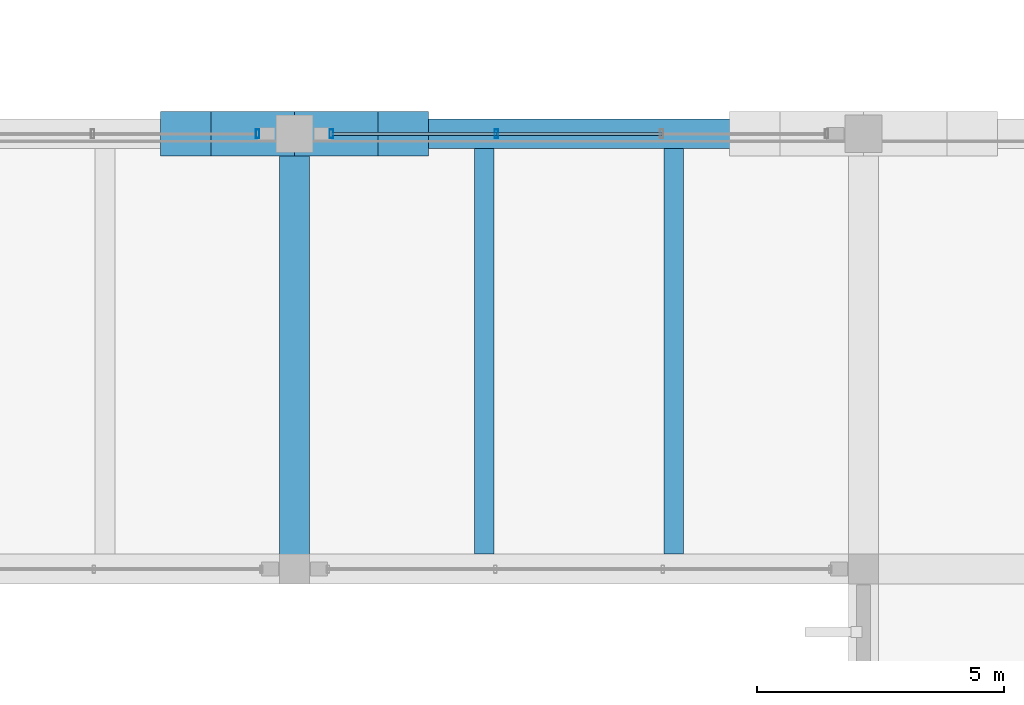
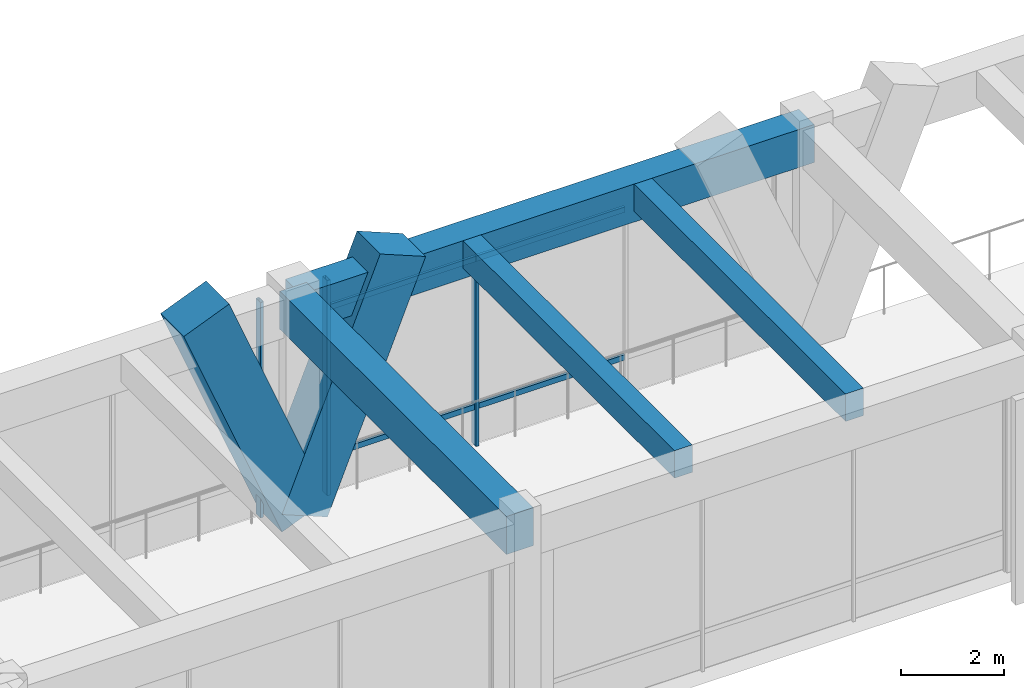
# One storey, part 94 of 148: 9 members, 4 beams, 2 elements without a shape of their own.
"""IFC4 building model written with IfcOpenShell, lengths in metres."""

from ifc_helpers import new_model, si_unit, direction, frame, origin, origin_2d, place, context, subcontext, project, spatial, rectangle, hollow_rectangle, extrude, material, material_profile, profile_set, type_object, element, aggregate, save


model = new_model("IFC4")

# Units and contexts
model_context = context("Model", 3, precision=1e-05, world=origin(), true_north=direction((0.0, 1.0)))
body_context = subcontext(model_context, "Body", "Model", "MODEL_VIEW")
ifc_project = project(units=[si_unit("LENGTHUNIT", "METRE"), si_unit("AREAUNIT", "SQUARE_METRE"), si_unit("VOLUMEUNIT", "CUBIC_METRE"), si_unit("PLANEANGLEUNIT", "RADIAN"), si_unit("MASSUNIT", "GRAM", prefix="KILO")], contexts=[model_context])

# Site, building, storey
site_placement = place(None, origin())
site = spatial("IfcSite", under=ifc_project, at=site_placement, CompositionType="ELEMENT")
building_placement = place(site_placement, origin())
building = spatial("IfcBuilding", under=site, at=building_placement, Name="Ologun Quay Terminus", CompositionType="ELEMENT")
storey_placement = place(building_placement, frame((0.0, 0.0, 8.39990234375)))
storey = spatial("IfcBuildingStorey", under=building, at=storey_placement, Name="L02", CompositionType="ELEMENT", Elevation=8.39990234375)

# Curtain wall, member
ifc_material_1 = material(Name="Aluminium 6063-T6", Category="aluminium")
curtain_wall_type = type_object("IfcCurtainWallType", Name="Train Shed South Clerestory Curtain Wall 10700x5050", PredefinedType="USERDEFINED", material=ifc_material_1)
curtain_wall_1_placement = place(storey_placement, origin())
curtain_wall_1 = element("IfcCurtainWall", 1, at=curtain_wall_1_placement, inside=storey, type_object=curtain_wall_type, Name="CW-08 Curtain Wall CW-L02-070", ObjectType="UNITISED CURTAIN WALL", PredefinedType="USERDEFINED")
ifc_material_2 = material(Name="Aluminium 6063-T6", Category="aluminium")
ifc_material_profile_1 = material_profile(ifc_material_2, hollow_rectangle(XDim=0.070068359375, YDim=0.179931640625, WallThickness=0.0048828125, at=origin_2d()), Name="ALU 180x70x5")
ifc_profile_set_1 = profile_set([ifc_material_profile_1], Name="Aluminium 6063-T6")
member_type_1 = type_object("IfcMemberType", Name="Concourse Clerestory Mullion 180x70", PredefinedType="MULLION", material=ifc_profile_set_1)
member_1_placement = place(storey_placement, frame((160.2548828125, 36.0, 0.0), z_axis=(0.0, 0.0, 1.0), x_axis=(1.0, 0.0, 0.0)))
member_1 = element("IfcMember", 2, at=member_1_placement, type_object=member_type_1, Name="CW-L02-070 Mullion 4", PredefinedType="MULLION", context=body_context, shape_type="SweptSolid", body=[
    extrude(hollow_rectangle(XDim=0.070068359375, YDim=0.179931640625, WallThickness=0.0048828125, at=origin_2d()), origin(), (0.0, 0.0, 1.0), 5.10009765625),
])
aggregate(curtain_wall_1, [member_1])

# Curtain wall, members
curtain_wall_2_placement = place(storey_placement, origin())
curtain_wall_2 = element("IfcCurtainWall", 3, at=curtain_wall_2_placement, inside=storey, type_object=curtain_wall_type, Name="CW-08 Curtain Wall CW-L02-072", ObjectType="UNITISED CURTAIN WALL", PredefinedType="USERDEFINED")
member_2_placement = place(storey_placement, frame((161.7451171875, 36.0, 0.0), z_axis=(0.0, 0.0, 1.0), x_axis=(1.0, 0.0, 0.0)))
member_2 = element("IfcMember", 4, at=member_2_placement, type_object=member_type_1, Name="CW-L02-072 Mullion 1", PredefinedType="MULLION", context=body_context, shape_type="SweptSolid", body=[
    extrude(hollow_rectangle(XDim=0.070068359375, YDim=0.179931640625, WallThickness=0.0048828125, at=origin_2d()), origin(), (0.0, 0.0, 1.0), 5.10009765625),
])
member_3_placement = place(storey_placement, frame((165.081787109375, 36.0, 0.0), z_axis=(0.0, 0.0, 1.0), x_axis=(1.0, 0.0, 0.0)))
member_3 = element("IfcMember", 5, at=member_3_placement, type_object=member_type_1, Name="CW-L02-072 Mullion 2", PredefinedType="MULLION", context=body_context, shape_type="SweptSolid", body=[
    extrude(hollow_rectangle(XDim=0.070068359375, YDim=0.179931640625, WallThickness=0.0048828125, at=origin_2d()), origin(), (0.0, 0.0, 1.0), 5.10009765625),
])
ifc_material_3 = material(Name="Aluminium 6063-T6", Category="aluminium")
ifc_material_profile_2 = material_profile(ifc_material_3, hollow_rectangle(XDim=0.06005859375, YDim=0.1298828125, WallThickness=0.00390625, at=origin_2d()), Name="ALU 130x60x4")
ifc_profile_set_2 = profile_set([ifc_material_profile_2], Name="Aluminium 6063-T6")
member_type_2 = type_object("IfcMemberType", Name="Concourse Clerestory Transom 130x60", PredefinedType="USERDEFINED", material=ifc_profile_set_2)
member_4_placement = place(storey_placement, frame((161.7451171875, 36.0, 0.900146484375), z_axis=(1.0, 0.0, 0.0), x_axis=(0.0, 1.0, 0.0)))
member_4 = element("IfcMember", 6, at=member_4_placement, type_object=member_type_2, Name="CW-L02-072 Transom B1-1", ObjectType="TRANSOM", PredefinedType="USERDEFINED", context=body_context, shape_type="SweptSolid", body=[
    extrude(hollow_rectangle(XDim=0.06005859375, YDim=0.1298828125, WallThickness=0.00390625, at=origin_2d()), origin(), (0.0, 0.0, 1.0), 3.336669921875),
])
member_5_placement = place(storey_placement, frame((161.7451171875, 36.0, 4.400146484375), z_axis=(1.0, 0.0, 0.0), x_axis=(0.0, 1.0, 0.0)))
member_5 = element("IfcMember", 7, at=member_5_placement, type_object=member_type_2, Name="CW-L02-072 Transom B1-2", ObjectType="TRANSOM", PredefinedType="USERDEFINED", context=body_context, shape_type="SweptSolid", body=[
    extrude(hollow_rectangle(XDim=0.06005859375, YDim=0.1298828125, WallThickness=0.00390625, at=origin_2d()), origin(), (0.0, 0.0, 1.0), 3.336669921875),
])
member_6_placement = place(storey_placement, frame((165.081787109375, 36.0, 0.900146484375), z_axis=(1.0, 0.0, 0.0), x_axis=(0.0, 1.0, 0.0)))
member_6 = element("IfcMember", 8, at=member_6_placement, type_object=member_type_2, Name="CW-L02-072 Transom B2-1", ObjectType="TRANSOM", PredefinedType="USERDEFINED", context=body_context, shape_type="SweptSolid", body=[
    extrude(hollow_rectangle(XDim=0.06005859375, YDim=0.1298828125, WallThickness=0.00390625, at=origin_2d()), origin(), (0.0, 0.0, 1.0), 3.33642578125),
])
member_7_placement = place(storey_placement, frame((165.081787109375, 36.0, 4.400146484375), z_axis=(1.0, 0.0, 0.0), x_axis=(0.0, 1.0, 0.0)))
member_7 = element("IfcMember", 9, at=member_7_placement, type_object=member_type_2, Name="CW-L02-072 Transom B2-2", ObjectType="TRANSOM", PredefinedType="USERDEFINED", context=body_context, shape_type="SweptSolid", body=[
    extrude(hollow_rectangle(XDim=0.06005859375, YDim=0.1298828125, WallThickness=0.00390625, at=origin_2d()), origin(), (0.0, 0.0, 1.0), 3.33642578125),
])
aggregate(curtain_wall_2, [member_2, member_3, member_4, member_5, member_6, member_7])

# Members
ifc_material_4 = material(Name="Concrete C45/55", Category="concrete")
ifc_material_profile_3 = material_profile(ifc_material_4, rectangle(XDim=0.89990234375, YDim=1.10009765625, at=origin_2d()), Name="RC 900x1100")
ifc_profile_set_3 = profile_set([ifc_material_profile_3], Name="Concrete C45/55")
member_type_3 = type_object("IfcMemberType", Name="Sculpted Concrete Arch V-Buttress Strut 900x1100", PredefinedType="STRUT", material=ifc_profile_set_3)
for number, where, z_axis, x_axis, name in (
    (10, (161.0, 36.0, 0.0), (-0.377280927807, 0.0, 0.926098861631), (0.0, -1.0, 0.0), "VS1 Arch V-Buttress West Limb 15/E"),
    (11, (161.0, 36.0, 0.0), (0.377280927807, 0.0, 0.926098861631), (0.0, 1.0, 0.0), "VS1 Arch V-Buttress East Limb 15/E"),
):
    element("IfcMember", number, at=place(storey_placement, frame(where, z_axis=z_axis, x_axis=x_axis)), inside=storey, type_object=member_type_3, Name=name, PredefinedType="STRUT", context=body_context, shape_type="SweptSolid", body=[
        extrude(rectangle(XDim=0.89990234375, YDim=1.10009765625, at=origin_2d()), origin(), (0.0, 0.0, 1.0), 5.8310546875),
    ])

# Beams
ifc_material_5 = material(Name="Concrete C40/50", Category="concrete")
ifc_material_profile_4 = material_profile(ifc_material_5, rectangle(XDim=0.60009765625, YDim=0.89990234375, at=origin_2d()), Name="RC 600x900")
ifc_profile_set_4 = profile_set([ifc_material_profile_4], Name="Concrete C40/50")
beam_type_1 = type_object("IfcBeamType", Name="Station Frame Girder 600x900", PredefinedType="BEAM", material=ifc_profile_set_4)
beam_1_placement = place(storey_placement, frame((161.0, 36.0, 4.7001953125), z_axis=(1.0, 0.0, 0.0), x_axis=(0.0, 1.0, 0.0)))
element("IfcBeam", 12, at=beam_1_placement, inside=storey, type_object=beam_type_1, Name="B3 Beam 15/E L02", PredefinedType="BEAM", context=body_context, shape_type="SweptSolid", body=[
    extrude(rectangle(XDim=0.60009765625, YDim=0.89990234375, at=origin_2d()), origin(), (0.0, 0.0, 1.0), 11.5),
])
beam_2_placement = place(storey_placement, frame((161.0, 27.199951171875, 4.7001953125), z_axis=(0.0, 1.0, 0.0), x_axis=(-1.0, 0.0, 0.0)))
element("IfcBeam", 13, at=beam_2_placement, inside=storey, type_object=beam_type_1, Name="B3 Beam 15/D L02", PredefinedType="BEAM", context=body_context, shape_type="SweptSolid", body=[
    extrude(rectangle(XDim=0.60009765625, YDim=0.89990234375, at=origin_2d()), origin(), (0.0, 0.0, 1.0), 8.800048828125),
])
ifc_material_6 = material(Name="Concrete C40/50", Category="concrete")
ifc_material_profile_5 = material_profile(ifc_material_6, rectangle(XDim=0.39990234375, YDim=0.64990234375, at=origin_2d()), Name="RC 400x650")
ifc_profile_set_5 = profile_set([ifc_material_profile_5], Name="Concrete C40/50")
beam_type_2 = type_object("IfcBeamType", Name="Station Secondary Joist 400x650", PredefinedType="JOIST", material=ifc_profile_set_5)
for number, where, z_axis, x_axis, name in (
    (14, (164.833251953125, 27.5, 4.8251953125), (0.0, 1.0, 0.0), (-1.0, 0.0, 0.0), "J1 Beam 15/D L02"),
    (15, (168.666748046875, 27.5, 4.8251953125), (0.0, 1.0, 0.0), (-1.0, 0.0, 0.0), "J1 Beam 15/D L02"),
):
    element("IfcBeam", number, at=place(storey_placement, frame(where, z_axis=z_axis, x_axis=x_axis)), inside=storey, type_object=beam_type_2, Name=name, PredefinedType="JOIST", context=body_context, shape_type="SweptSolid", body=[
        extrude(rectangle(XDim=0.39990234375, YDim=0.64990234375, at=origin_2d()), origin(), (0.0, 0.0, 1.0), 8.199951171875),
    ])

save(model, "model.ifc")
